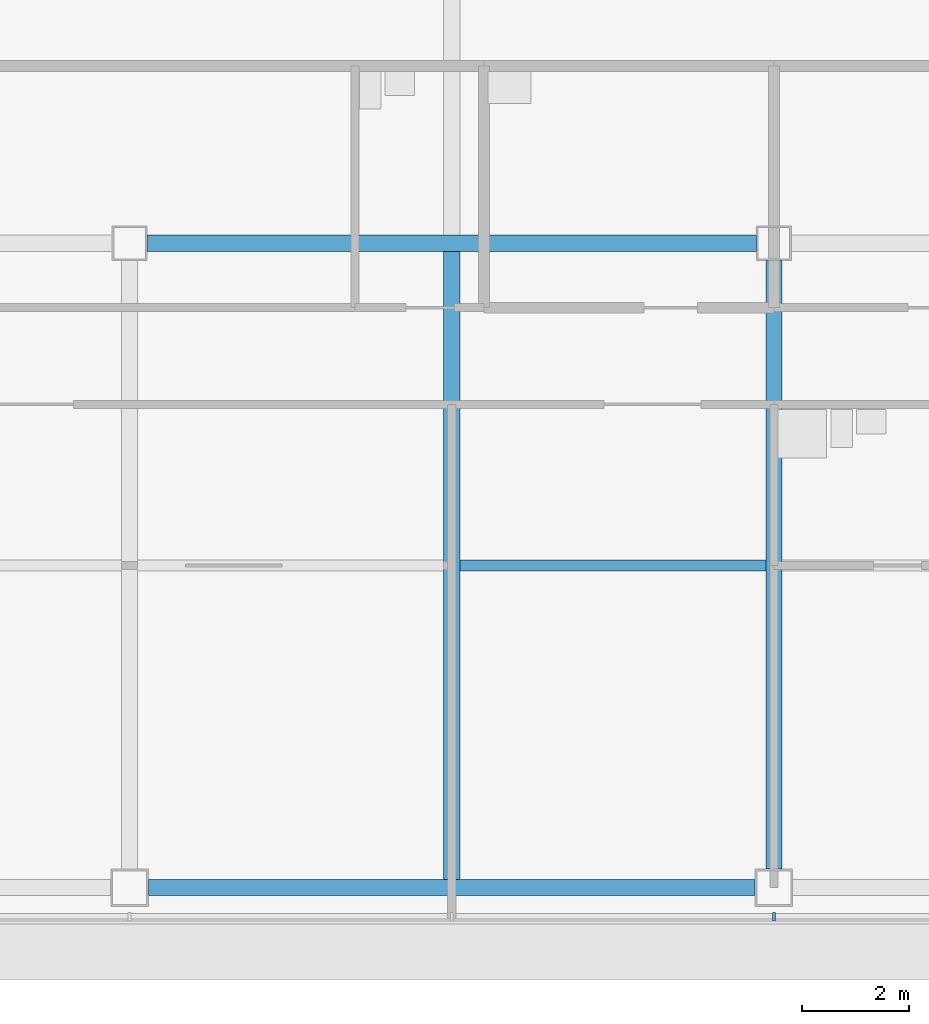
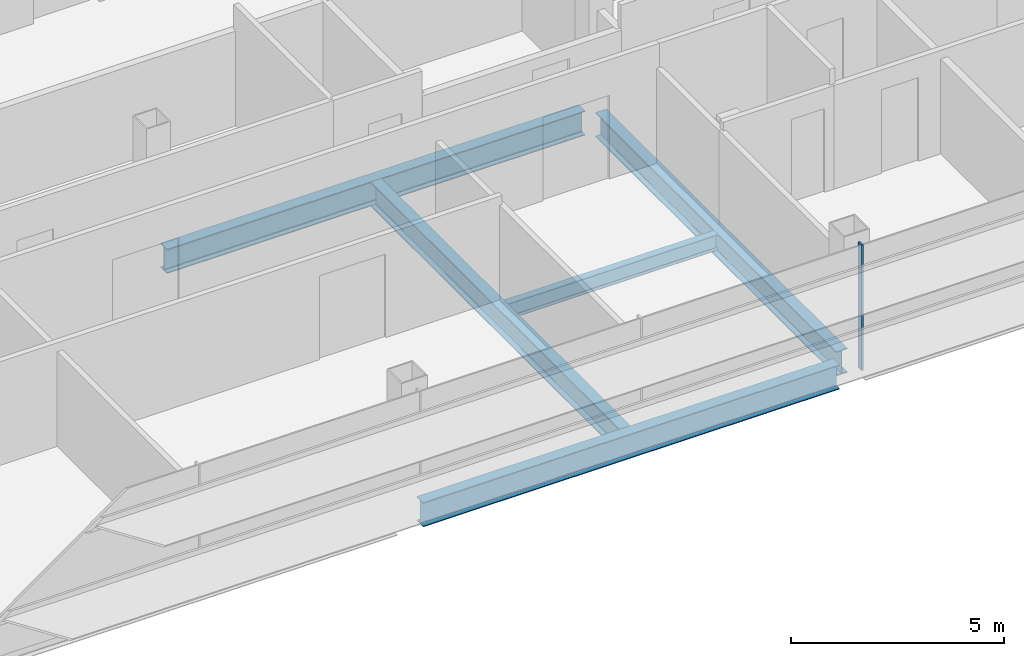
# One storey, part 3 of 24: 5 beams, 1 member, 1 element without a shape of its own.
"""IFC4 building model written with IfcOpenShell, lengths in metres."""

from ifc_helpers import new_model, si_unit, direction, frame, origin, origin_2d, place, context, subcontext, project, spatial, rectangle, i_section, extrude, material, material_profile, profile_set, type_object, element, aggregate, save


model = new_model("IFC4")

# Units and contexts
model_context = context("Model", 3, precision=1e-05, world=origin(), true_north=direction((0.0, 1.0)))
body_context = subcontext(model_context, "Body", "Model", "MODEL_VIEW")
ifc_project = project(units=[si_unit("LENGTHUNIT", "METRE"), si_unit("AREAUNIT", "SQUARE_METRE"), si_unit("VOLUMEUNIT", "CUBIC_METRE"), si_unit("PLANEANGLEUNIT", "RADIAN"), si_unit("MASSUNIT", "GRAM", prefix="KILO")], contexts=[model_context])

# Site, building, storey
site_placement = place(None, origin())
site = spatial("IfcSite", under=ifc_project, at=site_placement, CompositionType="ELEMENT")
building_placement = place(site_placement, origin())
building = spatial("IfcBuilding", under=site, at=building_placement, Name="Sorahane Residences", CompositionType="ELEMENT")
storey_placement = place(building_placement, frame((0.0, 0.0, 178.0)))
storey = spatial("IfcBuildingStorey", under=building, at=storey_placement, Name="L41", CompositionType="ELEMENT", Elevation=178.0)

# Curtain wall, member
ifc_material_1 = material(Name="Dark low-e glass and black anodised aluminium", Category="aluminium")
curtain_wall_type = type_object("IfcCurtainWallType", Name="Curtain wall CW-1 Typical unitised wall", PredefinedType="NOTDEFINED", material=ifc_material_1)
curtain_wall_placement = place(storey_placement, origin())
curtain_wall = element("IfcCurtainWall", 1, at=curtain_wall_placement, inside=storey, type_object=curtain_wall_type, Name="CW-1 curtain wall L41 S1", PredefinedType="NOTDEFINED")
ifc_material_2 = material(Name="Black anodised aluminium", Category="aluminium")
ifc_material_profile_1 = material_profile(ifc_material_2, rectangle(XDim=0.159912109375, YDim=0.050048828125, at=origin_2d()), Name="Curtain wall mullion CW-1 black anodised aluminium 50x160")
ifc_profile_set_1 = profile_set([ifc_material_profile_1], Name="Black anodised aluminium")
member_type = type_object("IfcMemberType", Name="Curtain wall mullion CW-1 black anodised aluminium 50x160", PredefinedType="MULLION", material=ifc_profile_set_1)
member_placement = place(storey_placement, frame((24.0, -0.5400390625, -0.179931640625), z_axis=(0.0, 0.0, 1.0), x_axis=(0.0, -1.0, 0.0)))
member = element("IfcMember", 2, at=member_placement, type_object=member_type, Name="CW-1 mullion L41 S1.5", PredefinedType="MULLION", context=body_context, shape_type="SweptSolid", body=[
    extrude(rectangle(XDim=0.159912109375, YDim=0.050048828125, at=origin_2d()), origin(), (0.0, 0.0, 1.0), 3.599853515625),
])
aggregate(curtain_wall, [member])

# Beams
ifc_material_3 = material(Name="Steel Q355B", Category="steel")
ifc_material_profile_2 = material_profile(ifc_material_3, i_section(OverallWidth=0.199951171875, OverallDepth=0.449951171875, WebThickness=0.009033203125, FlangeThickness=0.013916015625, FilletRadius=0.02001953125, at=origin_2d()), Name="HN 450x200x9x14")
ifc_profile_set_2 = profile_set([ifc_material_profile_2], Name="Steel Q355B")
beam_type_1 = type_object("IfcBeamType", Name="Steel floor beam HN 450x200x9x14 Q355B", PredefinedType="BEAM", material=ifc_profile_set_2)
beam_1_placement = place(storey_placement, frame((18.14990234375, 6.0, -0.405029296875), z_axis=(1.0, 0.0, 0.0), x_axis=(0.0, 1.0, 0.0)))
element("IfcBeam", 3, at=beam_1_placement, inside=storey, type_object=beam_type_1, Name="Beam L41 072", PredefinedType="BEAM", context=body_context, shape_type="SweptSolid", body=[
    extrude(i_section(OverallWidth=0.199951171875, OverallDepth=0.449951171875, WebThickness=0.009033203125, FlangeThickness=0.013916015625, FilletRadius=0.02001953125, at=origin_2d()), origin(), (0.0, 0.0, 1.0), 5.7001953125),
])
ifc_material_4 = material(Name="Steel Q355B", Category="steel")
ifc_material_profile_3 = material_profile(ifc_material_4, i_section(OverallWidth=0.300048828125, OverallDepth=0.699951171875, WebThickness=0.012939453125, FlangeThickness=0.02392578125, FilletRadius=0.028076171875, at=origin_2d()), Name="HN 700x300x13x24")
ifc_profile_set_3 = profile_set([ifc_material_profile_3], Name="Steel Q355B")
beam_type_2 = type_object("IfcBeamType", Name="Steel floor beam HN 700x300x13x24 Q355B", PredefinedType="BEAM", material=ifc_profile_set_3)
beam_2_placement = place(storey_placement, frame((12.35009765625, 0.0, -0.530029296875), z_axis=(1.0, 0.0, 0.0), x_axis=(0.0, 1.0, 0.0)))
element("IfcBeam", 4, at=beam_2_placement, inside=storey, type_object=beam_type_2, Name="Beam L41 001", PredefinedType="BEAM", context=body_context, shape_type="SweptSolid", body=[
    extrude(i_section(OverallWidth=0.300048828125, OverallDepth=0.699951171875, WebThickness=0.012939453125, FlangeThickness=0.02392578125, FilletRadius=0.028076171875, at=origin_2d()), origin(), (0.0, 0.0, 1.0), 11.2998046875),
])
beam_3_placement = place(storey_placement, frame((12.324951171875, 12.0, -0.530029296875), z_axis=(1.0, 0.0, 0.0), x_axis=(0.0, 1.0, 0.0)))
element("IfcBeam", 5, at=beam_3_placement, inside=storey, type_object=beam_type_2, Name="Beam L41 007", PredefinedType="BEAM", context=body_context, shape_type="SweptSolid", body=[
    extrude(i_section(OverallWidth=0.300048828125, OverallDepth=0.699951171875, WebThickness=0.012939453125, FlangeThickness=0.02392578125, FilletRadius=0.028076171875, at=origin_2d()), origin(), (0.0, 0.0, 1.0), 11.35009765625),
])
beam_4_placement = place(storey_placement, frame((18.0, 0.14990234375, -0.530029296875), z_axis=(0.0, 1.0, 0.0), x_axis=(-1.0, 0.0, 0.0)))
element("IfcBeam", 6, at=beam_4_placement, inside=storey, type_object=beam_type_2, Name="Beam L41 036", PredefinedType="BEAM", context=body_context, shape_type="SweptSolid", body=[
    extrude(i_section(OverallWidth=0.300048828125, OverallDepth=0.699951171875, WebThickness=0.012939453125, FlangeThickness=0.02392578125, FilletRadius=0.028076171875, at=origin_2d()), origin(), (0.0, 0.0, 1.0), 11.7001953125),
])
beam_5_placement = place(storey_placement, frame((24.0, 0.35009765625, -0.530029296875), z_axis=(0.0, 1.0, 0.0), x_axis=(-1.0, 0.0, 0.0)))
element("IfcBeam", 7, at=beam_5_placement, inside=storey, type_object=beam_type_2, Name="Beam L41 042", PredefinedType="BEAM", context=body_context, shape_type="SweptSolid", body=[
    extrude(i_section(OverallWidth=0.300048828125, OverallDepth=0.699951171875, WebThickness=0.012939453125, FlangeThickness=0.02392578125, FilletRadius=0.028076171875, at=origin_2d()), origin(), (0.0, 0.0, 1.0), 11.324951171875),
])

save(model, "model.ifc")
